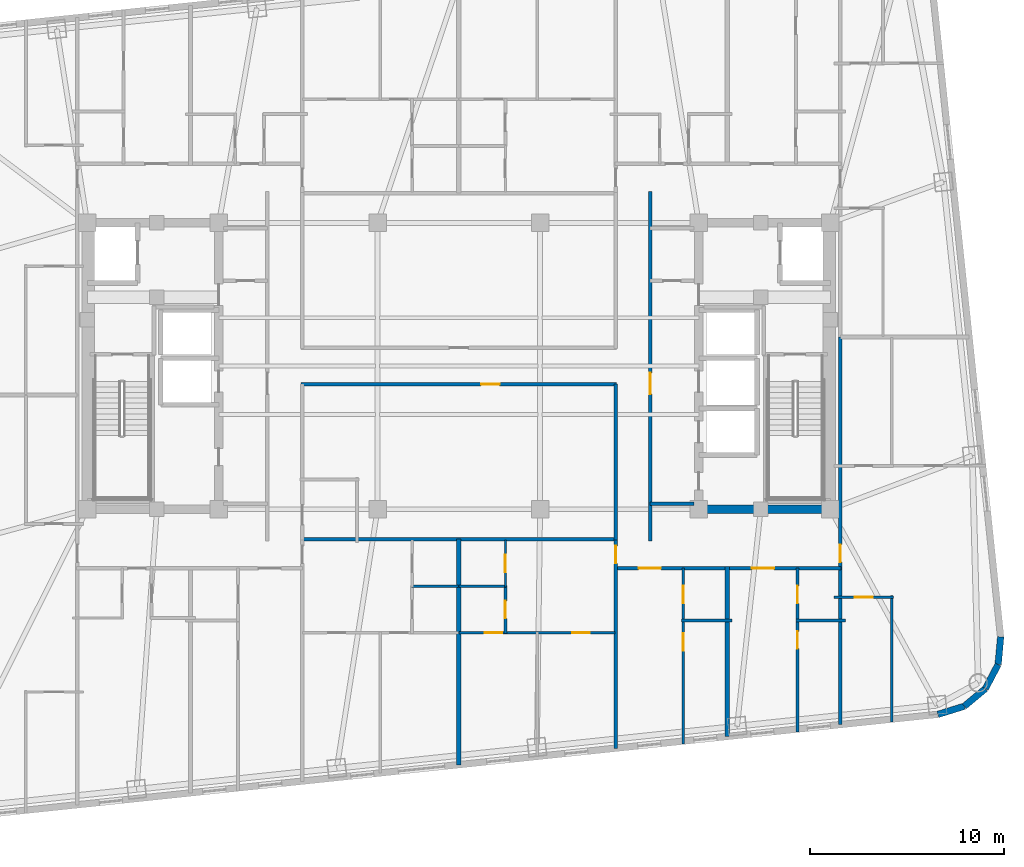
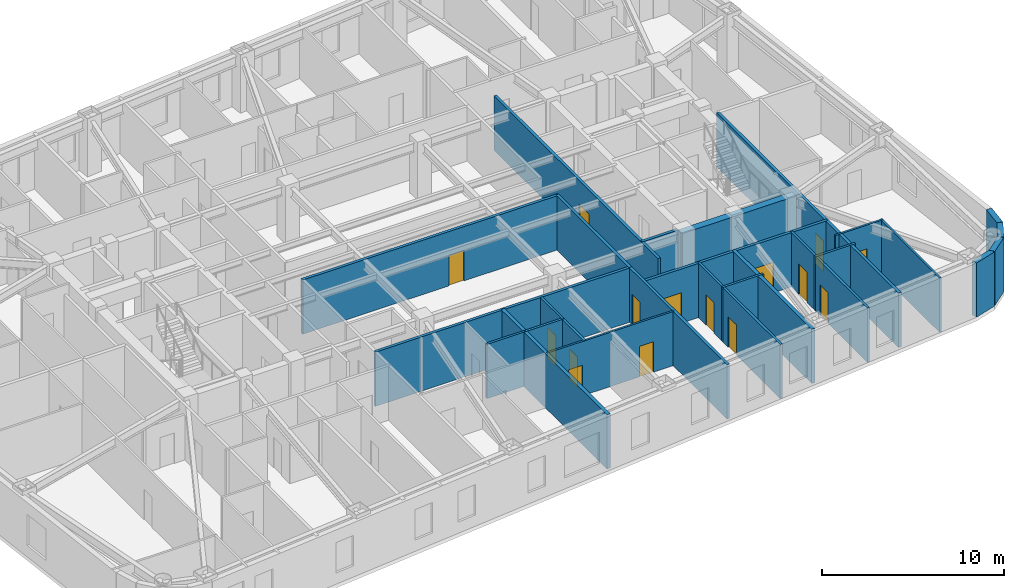
# One storey, part 5 of 11: 28 walls, 15 doors, 15 openings.
"""IFC4 building model written with IfcOpenShell, lengths in metres."""

from ifc_helpers import new_model, si_unit, direction, frame, frame_2d, origin, place, context, subcontext, project, spatial, rectangle, extrude, material, layer, layer_set, type_object, element, fill, save


model = new_model("IFC4")

# Units and contexts
model_context = context("Model", 3, precision=1e-05, world=origin(), true_north=direction((0.0, 1.0)))
body_context = subcontext(model_context, "Body", "Model", "MODEL_VIEW")
ifc_project = project(units=[si_unit("LENGTHUNIT", "METRE"), si_unit("AREAUNIT", "SQUARE_METRE"), si_unit("VOLUMEUNIT", "CUBIC_METRE"), si_unit("PLANEANGLEUNIT", "RADIAN"), si_unit("MASSUNIT", "GRAM", prefix="KILO")], contexts=[model_context])

# Site, building, storey
site_placement = place(None, origin())
site = spatial("IfcSite", under=ifc_project, at=site_placement, CompositionType="ELEMENT")
building_placement = place(site_placement, origin())
building = spatial("IfcBuilding", under=site, at=building_placement, Name="Voryun Gate Residences", CompositionType="ELEMENT")
storey_placement = place(building_placement, frame((0.0, 0.0, 163.800048828125)))
storey = spatial("IfcBuildingStorey", under=building, at=storey_placement, Name="L40", CompositionType="ELEMENT", Elevation=163.800048828125)

# Walls
ifc_material_1 = material(Name="Concrete C50/60", Category="concrete")
ifc_layer_1 = layer(ifc_material_1, 0.449951171875, Name="CW_CORE_450")
ifc_layer_set_1 = layer_set([ifc_layer_1], Name="Concrete C50/60")
wall_type_1 = type_object("IfcWallType", Name="CW_CORE_450", PredefinedType="SHEAR", material=ifc_layer_set_1)
wall_1_placement = place(storey_placement, frame((12.175048828125, -7.39990234375, 0.0), z_axis=(0.0, 0.0, 1.0), x_axis=(1.0, 0.0, 0.0)))
element("IfcWall", 1, at=wall_1_placement, inside=storey, type_object=wall_type_1, Name="L40 Core shear wall CW-L40-ES", PredefinedType="SHEAR", context=body_context, shape_type="SweptSolid", body=[
    extrude(rectangle(XDim=7.25, YDim=0.449951171875, at=frame_2d((3.625, 0.0))), origin(), (0.0, 0.0, 1.0), 3.64990234375),
])
ifc_material_2 = material(Name="Gypsum acoustic fireboard")
ifc_layer_2 = layer(ifc_material_2, 0.179931640625, Name="W_CORR_RATED_180")
ifc_layer_set_2 = layer_set([ifc_layer_2], Name="Gypsum acoustic fireboard")
wall_type_2 = type_object("IfcWallType", Name="W_CORR_RATED_180", PredefinedType="PARTITIONING", material=ifc_layer_set_2)
wall_2_placement = place(storey_placement, frame((9.8798828125, -7.1201171875, 0.0), z_axis=(0.0, 0.0, 1.0), x_axis=(1.0, 0.0, 0.0)))
element("IfcWall", 2, at=wall_2_placement, inside=storey, type_object=wall_type_2, Name="Partition wall WP-L40-PLBS-E", PredefinedType="PARTITIONING", context=body_context, shape_type="SweptSolid", body=[
    extrude(rectangle(XDim=2.27001953125, YDim=0.179931640625, at=frame_2d((1.135009765625, 0.0))), origin(), (0.0, 0.0, 1.0), 3.64990234375),
])

# Wall, opening, door
wall_3_placement = place(storey_placement, frame((9.89990234375, -9.030029296875, 0.0), z_axis=(0.0, 0.0, 1.0), x_axis=(0.0, 1.0, 0.0)))
wall_3 = element("IfcWall", 3, at=wall_3_placement, inside=storey, type_object=wall_type_2, Name="Partition wall WP-L40-PLBE-FULL", PredefinedType="PARTITIONING", context=body_context, shape_type="SweptSolid", body=[
    extrude(rectangle(XDim=18.06005859375, YDim=0.179931640625, at=frame_2d((9.030029296875, 0.0))), origin(), (0.0, 0.0, 1.0), 3.64990234375),
])
opening_1_placement = place(wall_3_placement, frame((7.576904296875, 0.0, 0.0)))
opening_1 = element("IfcOpeningElement", 4, at=opening_1_placement, cuts=wall_3, Name="Opening D-FD60-2", PredefinedType="OPENING", context=body_context, shape_type="SweptSolid", body=[
    extrude(rectangle(XDim=1.10009765625, YDim=2.050048828125, at=frame_2d((0.550048828125, 1.02490234375))), frame((0.0, 0.099853515625, 0.0), z_axis=(0.0, -1.0, 0.0), x_axis=(1.0, 0.0, 0.0)), (0.0, 0.0, 1.0), 0.199951171875),
])
ifc_material_3 = material(Name="Painted steel fire door", Category="steel")
door_type_1 = type_object("IfcDoorType", Name="DR_FD60_FFLOB_1100", OperationType="NOTDEFINED", PredefinedType="DOOR", material=ifc_material_3)
door_1_placement = place(opening_1_placement, origin())
door_1 = element("IfcDoor", 5, at=door_1_placement, inside=storey, type_object=door_type_1, Name="Door DR-L40-PLBE-COR", OperationType="SINGLE_SWING_RIGHT", OverallHeight=2.050048828125, OverallWidth=1.10009765625, PredefinedType="DOOR", context=body_context, shape_type="SweptSolid", body=[
    extrude(rectangle(XDim=1.10009765625, YDim=2.050048828125, at=frame_2d((0.550048828125, 1.02490234375))), frame((0.0, 0.02490234375, 0.0), z_axis=(0.0, -1.0, 0.0), x_axis=(1.0, 0.0, 0.0)), (0.0, 0.0, 1.0), 0.050048828125),
])
fill(opening_1, door_1)

# Wall
wall_4_placement = place(storey_placement, frame((-8.14990234375, -8.93994140625, 0.0), z_axis=(0.0, 0.0, 1.0), x_axis=(1.0, 0.0, 0.0)))
element("IfcWall", 6, at=wall_4_placement, inside=storey, type_object=wall_type_2, Name="Partition wall WP-L40-Z2S", PredefinedType="PARTITIONING", context=body_context, shape_type="SweptSolid", body=[
    extrude(rectangle(XDim=16.2998046875, YDim=0.179931640625, at=frame_2d((8.14990234375, 0.0))), origin(), (0.0, 0.0, 1.0), 3.64990234375),
])

# Wall, opening, door
wall_5_placement = place(storey_placement, frame((-8.14990234375, -0.93994140625, 0.0), z_axis=(0.0, 0.0, 1.0), x_axis=(1.0, 0.0, 0.0)))
wall_5 = element("IfcWall", 7, at=wall_5_placement, inside=storey, type_object=wall_type_2, Name="Partition wall WP-L40-Z2HS", PredefinedType="PARTITIONING", context=body_context, shape_type="SweptSolid", body=[
    extrude(rectangle(XDim=16.2998046875, YDim=0.179931640625, at=frame_2d((8.14990234375, 0.0))), origin(), (0.0, 0.0, 1.0), 3.64990234375),
])
opening_2_placement = place(wall_5_placement, frame((9.304931640625, 0.0, 0.0)))
opening_2 = element("IfcOpeningElement", 8, at=opening_2_placement, cuts=wall_5, Name="Opening D-INT-1", PredefinedType="OPENING", context=body_context, shape_type="SweptSolid", body=[
    extrude(rectangle(XDim=0.949951171875, YDim=2.050048828125, at=frame_2d((0.47509765625, 1.02490234375))), frame((0.0, 0.099853515625, 0.0), z_axis=(0.0, -1.0, 0.0), x_axis=(1.0, 0.0, 0.0)), (0.0, 0.0, 1.0), 0.199951171875),
])
ifc_material_4 = material(Name="Architectural oak veneer")
door_type_2 = type_object("IfcDoorType", Name="DR_INT_ROOM_950", OperationType="NOTDEFINED", PredefinedType="DOOR", material=ifc_material_4)
door_2_placement = place(opening_2_placement, origin())
door_2 = element("IfcDoor", 9, at=door_2_placement, inside=storey, type_object=door_type_2, Name="Door DR-L40-Z2SH", OperationType="SINGLE_SWING_RIGHT", OverallHeight=2.050048828125, OverallWidth=0.949951171875, PredefinedType="DOOR", context=body_context, shape_type="SweptSolid", body=[
    extrude(rectangle(XDim=0.949951171875, YDim=2.050048828125, at=frame_2d((0.47509765625, 1.02490234375))), frame((0.0, 0.02490234375, 0.0), z_axis=(0.0, -1.0, 0.0), x_axis=(1.0, 0.0, 0.0)), (0.0, 0.0, 1.0), 0.050048828125),
])
fill(opening_2, door_2)

# Wall
wall_6_placement = place(storey_placement, frame((8.10009765625, -8.97998046875, 0.0), z_axis=(0.0, 0.0, 1.0), x_axis=(0.0, 1.0, 0.0)))
element("IfcWall", 10, at=wall_6_placement, inside=storey, type_object=wall_type_2, Name="Partition wall WP-L40-Z2ER2", PredefinedType="PARTITIONING", context=body_context, shape_type="SweptSolid", body=[
    extrude(rectangle(XDim=8.06005859375, YDim=0.179931640625, at=frame_2d((4.030029296875, 0.0))), origin(), (0.0, 0.0, 1.0), 3.64990234375),
])

# Wall, openings, doors
wall_7_placement = place(storey_placement, frame((8.080078125, -10.449951171875, 0.0), z_axis=(0.0, 0.0, 1.0), x_axis=(1.0, 0.0, 0.0)))
wall_7 = element("IfcWall", 11, at=wall_7_placement, inside=storey, type_object=wall_type_2, Name="Partition wall WP-L40-SCORR-E", PredefinedType="PARTITIONING", context=body_context, shape_type="SweptSolid", body=[
    extrude(rectangle(XDim=11.669921875, YDim=0.179931640625, at=frame_2d((5.8349609375, 0.0))), origin(), (0.0, 0.0, 1.0), 3.64990234375),
])
opening_3_placement = place(wall_7_placement, frame((1.212890625, 0.0, 0.0)))
opening_3 = element("IfcOpeningElement", 12, at=opening_3_placement, cuts=wall_7, Name="Opening D-UNIT-1", PredefinedType="OPENING", context=body_context, shape_type="SweptSolid", body=[
    extrude(rectangle(XDim=1.14990234375, YDim=2.050048828125, at=frame_2d((0.574951171875, 1.02490234375))), frame((0.0, 0.099853515625, 0.0), z_axis=(0.0, -1.0, 0.0), x_axis=(1.0, 0.0, 0.0)), (0.0, 0.0, 1.0), 0.199951171875),
])
opening_4_placement = place(wall_7_placement, frame((7.05712890625, 0.0, 0.0)))
opening_4 = element("IfcOpeningElement", 13, at=opening_4_placement, cuts=wall_7, Name="Opening D-UNIT-1", PredefinedType="OPENING", context=body_context, shape_type="SweptSolid", body=[
    extrude(rectangle(XDim=1.14990234375, YDim=2.050048828125, at=frame_2d((0.574951171875, 1.02490234375))), frame((0.0, 0.099853515625, 0.0), z_axis=(0.0, -1.0, 0.0), x_axis=(1.0, 0.0, 0.0)), (0.0, 0.0, 1.0), 0.199951171875),
])
ifc_material_5 = material(Name="Armoured timber-clad fire door", Category="wood")
door_type_3 = type_object("IfcDoorType", Name="DR_UNIT_ENTRY_1150", OperationType="NOTDEFINED", PredefinedType="DOOR", material=ifc_material_5)
door_3_placement = place(opening_3_placement, origin())
door_3 = element("IfcDoor", 14, at=door_3_placement, inside=storey, type_object=door_type_3, Name="Door DR-L40-SENT-4", OperationType="SINGLE_SWING_LEFT", OverallHeight=2.050048828125, OverallWidth=1.14990234375, PredefinedType="DOOR", context=body_context, shape_type="SweptSolid", body=[
    extrude(rectangle(XDim=1.14990234375, YDim=2.050048828125, at=frame_2d((0.574951171875, 1.02490234375))), frame((0.0, 0.02490234375, 0.0), z_axis=(0.0, -1.0, 0.0), x_axis=(1.0, 0.0, 0.0)), (0.0, 0.0, 1.0), 0.050048828125),
])
fill(opening_3, door_3)
door_4_placement = place(opening_4_placement, origin())
door_4 = element("IfcDoor", 15, at=door_4_placement, inside=storey, type_object=door_type_3, Name="Door DR-L40-SENT-5", OperationType="SINGLE_SWING_RIGHT", OverallHeight=2.050048828125, OverallWidth=1.14990234375, PredefinedType="DOOR", context=body_context, shape_type="SweptSolid", body=[
    extrude(rectangle(XDim=1.14990234375, YDim=2.050048828125, at=frame_2d((0.574951171875, 1.02490234375))), frame((0.0, 0.02490234375, 0.0), z_axis=(0.0, -1.0, 0.0), x_axis=(1.0, 0.0, 0.0)), (0.0, 0.0, 1.0), 0.050048828125),
])
fill(opening_4, door_4)

# Wall, opening, door
wall_8_placement = place(storey_placement, frame((8.10009765625, -19.75390625, 0.0), z_axis=(0.0, 0.0, 1.0), x_axis=(0.0, 1.0, 0.0)))
wall_8 = element("IfcWall", 16, at=wall_8_placement, inside=storey, type_object=wall_type_2, Name="Partition wall WP-L40-SZV-2", PredefinedType="PARTITIONING", context=body_context, shape_type="SweptSolid", body=[
    extrude(rectangle(XDim=10.81396484375, YDim=0.179931640625, at=frame_2d((5.406982421875, 0.0))), origin(), (0.0, 0.0, 1.0), 3.64990234375),
])
opening_5_placement = place(wall_8_placement, frame((9.563720703125, 0.0, 0.0)))
opening_5 = element("IfcOpeningElement", 17, at=opening_5_placement, cuts=wall_8, Name="Opening D-INT-2", PredefinedType="OPENING", context=body_context, shape_type="SweptSolid", body=[
    extrude(rectangle(XDim=0.89990234375, YDim=2.050048828125, at=frame_2d((0.449951171875, 1.02490234375))), frame((0.0, 0.099853515625, 0.0), z_axis=(0.0, -1.0, 0.0), x_axis=(1.0, 0.0, 0.0)), (0.0, 0.0, 1.0), 0.199951171875),
])
ifc_material_6 = material(Name="Architectural oak veneer")
door_type_4 = type_object("IfcDoorType", Name="DR_INT_BATH_900", OperationType="NOTDEFINED", PredefinedType="DOOR", material=ifc_material_6)
door_5_placement = place(opening_5_placement, origin())
door_5 = element("IfcDoor", 18, at=door_5_placement, inside=storey, type_object=door_type_4, Name="Door DR-L40-SZENT-2", OperationType="SINGLE_SWING_RIGHT", OverallHeight=2.050048828125, OverallWidth=0.89990234375, PredefinedType="DOOR", context=body_context, shape_type="SweptSolid", body=[
    extrude(rectangle(XDim=0.89990234375, YDim=2.050048828125, at=frame_2d((0.449951171875, 1.02490234375))), frame((0.0, 0.02490234375, 0.0), z_axis=(0.0, -1.0, 0.0), x_axis=(1.0, 0.0, 0.0)), (0.0, 0.0, 1.0), 0.050048828125),
])
fill(opening_5, door_5)

wall_9_placement = place(storey_placement, frame((19.719970703125, -18.532470703125, 0.0), z_axis=(0.0, 0.0, 1.0), x_axis=(0.0, 1.0, 0.0)))
wall_9 = element("IfcWall", 19, at=wall_9_placement, inside=storey, type_object=wall_type_2, Name="Partition wall WP-L40-ECOR1", PredefinedType="PARTITIONING", context=body_context, shape_type="SweptSolid", body=[
    extrude(rectangle(XDim=20.032470703125, YDim=0.179931640625, at=frame_2d((10.01611328125, 0.0))), origin(), (0.0, 0.0, 1.0), 3.64990234375),
])
opening_6_placement = place(wall_9_placement, frame((8.40234375, 0.0, 0.0)))
opening_6 = element("IfcOpeningElement", 20, at=opening_6_placement, cuts=wall_9, Name="Opening D-INT-2", PredefinedType="OPENING", context=body_context, shape_type="SweptSolid", body=[
    extrude(rectangle(XDim=0.89990234375, YDim=2.050048828125, at=frame_2d((0.449951171875, 1.02490234375))), frame((0.0, 0.099853515625, 0.0), z_axis=(0.0, -1.0, 0.0), x_axis=(1.0, 0.0, 0.0)), (0.0, 0.0, 1.0), 0.199951171875),
])
door_6_placement = place(opening_6_placement, origin())
door_6 = element("IfcDoor", 21, at=door_6_placement, inside=storey, type_object=door_type_4, Name="Door DR-L40-EE1", OperationType="SINGLE_SWING_LEFT", OverallHeight=2.050048828125, OverallWidth=0.89990234375, PredefinedType="DOOR", context=body_context, shape_type="SweptSolid", body=[
    extrude(rectangle(XDim=0.89990234375, YDim=2.050048828125, at=frame_2d((0.449951171875, 1.02490234375))), frame((0.0, 0.02490234375, 0.0), z_axis=(0.0, -1.0, 0.0), x_axis=(1.0, 0.0, 0.0)), (0.0, 0.0, 1.0), 0.050048828125),
])
fill(opening_6, door_6)

# Walls
ifc_material_7 = material(Name="Charcoal terracotta masonry", Category="masonry")
ifc_layer_3 = layer(ifc_material_7, 0.340087890625, Name="W_EXT_TERRACOTTA_340")
ifc_layer_set_3 = layer_set([ifc_layer_3], Name="Charcoal terracotta masonry")
wall_type_3 = type_object("IfcWallType", Name="W_EXT_TERRACOTTA_340", PredefinedType="ELEMENTEDWALL", material=ifc_layer_set_3)
wall_10_placement = place(storey_placement, frame((28.001220703125, -13.9951171875, 0.0), z_axis=(0.0, 0.0, 1.0), x_axis=(-0.091534682358, -0.995801888894, 0.0)))
element("IfcWall", 22, at=wall_10_placement, inside=storey, type_object=wall_type_3, Name="Exterior wall WEXT-L40-17", PredefinedType="ELEMENTEDWALL", context=body_context, shape_type="SweptSolid", body=[
    extrude(rectangle(XDim=1.432373046875, YDim=0.340087890625, at=frame_2d((0.71630859375, 0.0))), origin(), (0.0, 0.0, 1.0), 3.64990234375),
])
for number, where, z_axis, x_axis, name in (
    (23, (27.8701171875, -15.42138671875, 0.0), (0.0, 0.0, 1.0), (-0.465682431293, -0.884951904447, 0.0), "Exterior wall WEXT-L40-18"),
    (24, (27.211181640625, -16.673583984375, 0.0), (0.0, 0.0, 1.0), (-0.768758372808, -0.639539337522, 0.0), "Exterior wall WEXT-L40-19"),
):
    element("IfcWall", number, at=place(storey_placement, frame(where, z_axis=z_axis, x_axis=x_axis)), inside=storey, type_object=wall_type_3, Name=name, PredefinedType="ELEMENTEDWALL", context=body_context, shape_type="SweptSolid", body=[
        extrude(rectangle(XDim=1.4150390625, YDim=0.340087890625, at=frame_2d((0.70751953125, 0.0))), origin(), (0.0, 0.0, 1.0), 3.64990234375),
    ])
wall_11_placement = place(storey_placement, frame((26.123291015625, -17.57861328125, 0.0), z_axis=(0.0, 0.0, 1.0), x_axis=(-0.955042500381, -0.296468923271, 0.0)))
element("IfcWall", 25, at=wall_11_placement, inside=storey, type_object=wall_type_3, Name="Exterior wall WEXT-L40-20", PredefinedType="ELEMENTEDWALL", context=body_context, shape_type="SweptSolid", body=[
    extrude(rectangle(XDim=1.43212890625, YDim=0.340087890625, at=frame_2d((0.716064453125, 0.0))), origin(), (0.0, 0.0, 1.0), 3.64990234375),
])
ifc_material_8 = material(Name="Concrete C40/50", Category="concrete")
ifc_layer_4 = layer(ifc_material_8, 0.219970703125, Name="W_PARTY_ACOUSTIC_220")
ifc_layer_set_4 = layer_set([ifc_layer_4], Name="Concrete C40/50")
wall_type_4 = type_object("IfcWallType", Name="W_PARTY_ACOUSTIC_220", PredefinedType="PARTITIONING", material=ifc_layer_set_4)
wall_12_placement = place(storey_placement, frame((13.864990234375, -19.147705078125, 0.0), z_axis=(0.0, 0.0, 1.0), x_axis=(0.0, 1.0, 0.0)))
element("IfcWall", 26, at=wall_12_placement, inside=storey, type_object=wall_type_4, Name="Partition wall WP-L40-SPTY-4", PredefinedType="PARTITIONING", context=body_context, shape_type="SweptSolid", body=[
    extrude(rectangle(XDim=8.777587890625, YDim=0.219970703125, at=frame_2d((4.388671875, 0.0))), origin(), (0.0, 0.0, 1.0), 3.64990234375),
])
wall_13_placement = place(storey_placement, frame((0.0, -20.60498046875, 0.0), z_axis=(0.0, 0.0, 1.0), x_axis=(0.0, 1.0, 0.0)))
element("IfcWall", 27, at=wall_13_placement, inside=storey, type_object=wall_type_4, Name="Partition wall WP-L40-SZMID", PredefinedType="PARTITIONING", context=body_context, shape_type="SweptSolid", body=[
    extrude(rectangle(XDim=11.6650390625, YDim=0.219970703125, at=frame_2d((5.83251953125, 0.0))), origin(), (0.0, 0.0, 1.0), 3.64990234375),
])

# Wall, openings, doors
ifc_material_9 = material(Name="Gypsum acoustic partition")
ifc_layer_5 = layer(ifc_material_9, 0.125, Name="W_UNIT_PART_125")
ifc_layer_set_5 = layer_set([ifc_layer_5], Name="Gypsum acoustic partition")
wall_type_5 = type_object("IfcWallType", Name="W_UNIT_PART_125", PredefinedType="PARTITIONING", material=ifc_layer_set_5)
wall_14_placement = place(storey_placement, frame((0.02001953125, -13.780029296875, 0.0), z_axis=(0.0, 0.0, 1.0), x_axis=(1.0, 0.0, 0.0)))
wall_14 = element("IfcWall", 28, at=wall_14_placement, inside=storey, type_object=wall_type_5, Name="Partition wall WP-L40-SC2-HZ", PredefinedType="PARTITIONING", context=body_context, shape_type="SweptSolid", body=[
    extrude(rectangle(XDim=8.06005859375, YDim=0.125, at=frame_2d((4.030029296875, 0.0))), origin(), (0.0, 0.0, 1.0), 3.64990234375),
])
opening_7_placement = place(wall_14_placement, frame((1.3232421875, 0.0, 0.0)))
opening_7 = element("IfcOpeningElement", 29, at=opening_7_placement, cuts=wall_14, Name="Opening D-INT-2", PredefinedType="OPENING", context=body_context, shape_type="SweptSolid", body=[
    extrude(rectangle(XDim=0.89990234375, YDim=2.050048828125, at=frame_2d((0.449951171875, 1.02490234375))), frame((0.0, 0.072509765625, 0.0), z_axis=(0.0, -1.0, 0.0), x_axis=(1.0, 0.0, 0.0)), (0.0, 0.0, 1.0), 0.14501953125),
])
opening_8_placement = place(wall_14_placement, frame((5.8369140625, 0.0, 0.0)))
opening_8 = element("IfcOpeningElement", 30, at=opening_8_placement, cuts=wall_14, Name="Opening D-INT-2", PredefinedType="OPENING", context=body_context, shape_type="SweptSolid", body=[
    extrude(rectangle(XDim=0.89990234375, YDim=2.050048828125, at=frame_2d((0.449951171875, 1.02490234375))), frame((0.0, 0.072509765625, 0.0), z_axis=(0.0, -1.0, 0.0), x_axis=(1.0, 0.0, 0.0)), (0.0, 0.0, 1.0), 0.14501953125),
])
door_7_placement = place(opening_7_placement, origin())
door_7 = element("IfcDoor", 31, at=door_7_placement, inside=storey, type_object=door_type_4, Name="Door DR-L40-SC2-DMB", OperationType="SINGLE_SWING_LEFT", OverallHeight=2.050048828125, OverallWidth=0.89990234375, PredefinedType="DOOR", context=body_context, shape_type="SweptSolid", body=[
    extrude(rectangle(XDim=0.89990234375, YDim=2.050048828125, at=frame_2d((0.449951171875, 1.02490234375))), frame((0.0, 0.02490234375, 0.0), z_axis=(0.0, -1.0, 0.0), x_axis=(1.0, 0.0, 0.0)), (0.0, 0.0, 1.0), 0.050048828125),
])
fill(opening_7, door_7)
door_8_placement = place(opening_8_placement, origin())
door_8 = element("IfcDoor", 32, at=door_8_placement, inside=storey, type_object=door_type_4, Name="Door DR-L40-SC2-DBD2", OperationType="SINGLE_SWING_RIGHT", OverallHeight=2.050048828125, OverallWidth=0.89990234375, PredefinedType="DOOR", context=body_context, shape_type="SweptSolid", body=[
    extrude(rectangle(XDim=0.89990234375, YDim=2.050048828125, at=frame_2d((0.449951171875, 1.02490234375))), frame((0.0, 0.02490234375, 0.0), z_axis=(0.0, -1.0, 0.0), x_axis=(1.0, 0.0, 0.0)), (0.0, 0.0, 1.0), 0.050048828125),
])
fill(opening_8, door_8)

# Wall, opening, door
wall_15_placement = place(storey_placement, frame((2.409912109375, -11.409912109375, 0.0), z_axis=(0.0, 0.0, 1.0), x_axis=(0.0, 1.0, 0.0)))
wall_15 = element("IfcWall", 33, at=wall_15_placement, inside=storey, type_object=wall_type_5, Name="Partition wall WP-L40-SC2-VK1", PredefinedType="PARTITIONING", context=body_context, shape_type="SweptSolid", body=[
    extrude(rectangle(XDim=2.409912109375, YDim=0.125, at=frame_2d((1.205078125, 0.0))), origin(), (0.0, 0.0, 1.0), 3.64990234375),
])
opening_9_placement = place(wall_15_placement, frame((0.7548828125, 0.0, 0.0)))
opening_9 = element("IfcOpeningElement", 34, at=opening_9_placement, cuts=wall_15, Name="Opening D-INT-2", PredefinedType="OPENING", context=body_context, shape_type="SweptSolid", body=[
    extrude(rectangle(XDim=0.89990234375, YDim=2.050048828125, at=frame_2d((0.449951171875, 1.02490234375))), frame((0.0, 0.072509765625, 0.0), z_axis=(0.0, -1.0, 0.0), x_axis=(1.0, 0.0, 0.0)), (0.0, 0.0, 1.0), 0.14501953125),
])
door_9_placement = place(opening_9_placement, origin())
door_9 = element("IfcDoor", 35, at=door_9_placement, inside=storey, type_object=door_type_4, Name="Door DR-L40-SC2-DK", OperationType="SINGLE_SWING_LEFT", OverallHeight=2.050048828125, OverallWidth=0.89990234375, PredefinedType="DOOR", context=body_context, shape_type="SweptSolid", body=[
    extrude(rectangle(XDim=0.89990234375, YDim=2.050048828125, at=frame_2d((0.449951171875, 1.02490234375))), frame((0.0, 0.02490234375, 0.0), z_axis=(0.0, -1.0, 0.0), x_axis=(1.0, 0.0, 0.0)), (0.0, 0.0, 1.0), 0.050048828125),
])
fill(opening_9, door_9)

wall_16_placement = place(storey_placement, frame((19.39990234375, -11.93896484375, 0.0), z_axis=(0.0, 0.0, 1.0), x_axis=(1.0, 0.0, 0.0)))
wall_16 = element("IfcWall", 36, at=wall_16_placement, inside=storey, type_object=wall_type_5, Name="Partition wall WP-L40-E1-IKA", PredefinedType="PARTITIONING", context=body_context, shape_type="SweptSolid", body=[
    extrude(rectangle(XDim=3.050048828125, YDim=0.125, at=frame_2d((1.52490234375, 0.0))), origin(), (0.0, 0.0, 1.0), 3.64990234375),
])
opening_10_placement = place(wall_16_placement, frame((1.050048828125, 0.0, 0.0)))
opening_10 = element("IfcOpeningElement", 37, at=opening_10_placement, cuts=wall_16, Name="Opening D-INT-1", PredefinedType="OPENING", context=body_context, shape_type="SweptSolid", body=[
    extrude(rectangle(XDim=0.949951171875, YDim=2.050048828125, at=frame_2d((0.47509765625, 1.02490234375))), frame((0.0, 0.072509765625, 0.0), z_axis=(0.0, -1.0, 0.0), x_axis=(1.0, 0.0, 0.0)), (0.0, 0.0, 1.0), 0.14501953125),
])
door_10_placement = place(opening_10_placement, origin())
door_10 = element("IfcDoor", 38, at=door_10_placement, inside=storey, type_object=door_type_2, Name="Door DR-L40-E1-DK", OperationType="SINGLE_SWING_LEFT", OverallHeight=2.050048828125, OverallWidth=0.949951171875, PredefinedType="DOOR", context=body_context, shape_type="SweptSolid", body=[
    extrude(rectangle(XDim=0.949951171875, YDim=2.050048828125, at=frame_2d((0.47509765625, 1.02490234375))), frame((0.0, 0.02490234375, 0.0), z_axis=(0.0, -1.0, 0.0), x_axis=(1.0, 0.0, 0.0)), (0.0, 0.0, 1.0), 0.050048828125),
])
fill(opening_10, door_10)

# Walls
wall_17_placement = place(storey_placement, frame((22.3701171875, -18.40478515625, 0.0), z_axis=(0.0, 0.0, 1.0), x_axis=(0.0, 1.0, 0.0)))
element("IfcWall", 39, at=wall_17_placement, inside=storey, type_object=wall_type_5, Name="Partition wall WP-L40-E1-VTA", PredefinedType="PARTITIONING", context=body_context, shape_type="SweptSolid", body=[
    extrude(rectangle(XDim=6.5458984375, YDim=0.125, at=frame_2d((3.27294921875, 0.0))), origin(), (0.0, 0.0, 1.0), 3.64990234375),
])
ifc_material_10 = material(Name="Gypsum moisture-resistant partition")
ifc_layer_6 = layer(ifc_material_10, 0.14990234375, Name="W_WET_PLUMB_150")
ifc_layer_set_6 = layer_set([ifc_layer_6], Name="Gypsum moisture-resistant partition")
wall_type_6 = type_object("IfcWallType", Name="W_WET_PLUMB_150", PredefinedType="PLUMBINGWALL", material=ifc_layer_set_6)
wall_18_placement = place(storey_placement, frame((11.51611328125, -13.14990234375, 0.0), z_axis=(0.0, 0.0, 1.0), x_axis=(1.0, 0.0, 0.0)))
element("IfcWall", 40, at=wall_18_placement, inside=storey, type_object=wall_type_6, Name="Partition wall WP-L40-S4-SKB", PredefinedType="PLUMBINGWALL", context=body_context, shape_type="SweptSolid", body=[
    extrude(rectangle(XDim=2.60888671875, YDim=0.14990234375, at=frame_2d((1.304443359375, 0.0))), origin(), (0.0, 0.0, 1.0), 3.64990234375),
])

# Wall, opening, door
wall_19_placement = place(storey_placement, frame((11.595947265625, -19.537109375, 0.0), z_axis=(0.0, 0.0, 1.0), x_axis=(0.0, 1.0, 0.0)))
wall_19 = element("IfcWall", 41, at=wall_19_placement, inside=storey, type_object=wall_type_6, Name="Partition wall WP-L40-S4-SVT1", PredefinedType="PLUMBINGWALL", context=body_context, shape_type="SweptSolid", body=[
    extrude(rectangle(XDim=6.427001953125, YDim=0.14990234375, at=frame_2d((3.21337890625, 0.0))), origin(), (0.0, 0.0, 1.0), 3.64990234375),
])
opening_11_placement = place(wall_19_placement, frame((4.8203125, 0.0, 0.0)))
opening_11 = element("IfcOpeningElement", 42, at=opening_11_placement, cuts=wall_19, Name="Opening D-INT-2", PredefinedType="OPENING", context=body_context, shape_type="SweptSolid", body=[
    extrude(rectangle(XDim=0.89990234375, YDim=2.050048828125, at=frame_2d((0.449951171875, 1.02490234375))), frame((0.0, 0.0849609375, 0.0), z_axis=(0.0, -1.0, 0.0), x_axis=(1.0, 0.0, 0.0)), (0.0, 0.0, 1.0), 0.169921875),
])
door_11_placement = place(opening_11_placement, origin())
door_11 = element("IfcDoor", 43, at=door_11_placement, inside=storey, type_object=door_type_4, Name="Door DR-L40-S4-DK", OperationType="SINGLE_SWING_LEFT", OverallHeight=2.050048828125, OverallWidth=0.89990234375, PredefinedType="DOOR", context=body_context, shape_type="SweptSolid", body=[
    extrude(rectangle(XDim=0.89990234375, YDim=2.050048828125, at=frame_2d((0.449951171875, 1.02490234375))), frame((0.0, 0.02490234375, 0.0), z_axis=(0.0, -1.0, 0.0), x_axis=(1.0, 0.0, 0.0)), (0.0, 0.0, 1.0), 0.050048828125),
])
fill(opening_11, door_11)

wall_20_placement = place(storey_placement, frame((11.595947265625, -13.18994140625, 0.0), z_axis=(0.0, 0.0, 1.0), x_axis=(0.0, 1.0, 0.0)))
wall_20 = element("IfcWall", 44, at=wall_20_placement, inside=storey, type_object=wall_type_6, Name="Partition wall WP-L40-S4-SVT2", PredefinedType="PLUMBINGWALL", context=body_context, shape_type="SweptSolid", body=[
    extrude(rectangle(XDim=2.760009765625, YDim=0.14990234375, at=frame_2d((1.3798828125, 0.0))), origin(), (0.0, 0.0, 1.0), 3.64990234375),
])
opening_12_placement = place(wall_20_placement, frame((0.929931640625, 0.0, 0.0)))
opening_12 = element("IfcOpeningElement", 45, at=opening_12_placement, cuts=wall_20, Name="Opening D-INT-2", PredefinedType="OPENING", context=body_context, shape_type="SweptSolid", body=[
    extrude(rectangle(XDim=0.89990234375, YDim=2.050048828125, at=frame_2d((0.449951171875, 1.02490234375))), frame((0.0, 0.0849609375, 0.0), z_axis=(0.0, -1.0, 0.0), x_axis=(1.0, 0.0, 0.0)), (0.0, 0.0, 1.0), 0.169921875),
])
door_12_placement = place(opening_12_placement, origin())
door_12 = element("IfcDoor", 46, at=door_12_placement, inside=storey, type_object=door_type_4, Name="Door DR-L40-S4-DB", OperationType="SINGLE_SWING_RIGHT", OverallHeight=2.050048828125, OverallWidth=0.89990234375, PredefinedType="DOOR", context=body_context, shape_type="SweptSolid", body=[
    extrude(rectangle(XDim=0.89990234375, YDim=2.050048828125, at=frame_2d((0.449951171875, 1.02490234375))), frame((0.0, 0.02490234375, 0.0), z_axis=(0.0, -1.0, 0.0), x_axis=(1.0, 0.0, 0.0)), (0.0, 0.0, 1.0), 0.050048828125),
])
fill(opening_12, door_12)

# Wall
wall_21_placement = place(storey_placement, frame((17.419921875, -13.14990234375, 0.0), z_axis=(0.0, 0.0, 1.0), x_axis=(1.0, 0.0, 0.0)))
element("IfcWall", 47, at=wall_21_placement, inside=storey, type_object=wall_type_6, Name="Partition wall WP-L40-S5-SKB", PredefinedType="PLUMBINGWALL", context=body_context, shape_type="SweptSolid", body=[
    extrude(rectangle(XDim=2.550048828125, YDim=0.14990234375, at=frame_2d((1.27490234375, 0.0))), origin(), (0.0, 0.0, 1.0), 3.64990234375),
])

# Wall, opening, door
wall_22_placement = place(storey_placement, frame((17.5, -18.91650390625, 0.0), z_axis=(0.0, 0.0, 1.0), x_axis=(0.0, 1.0, 0.0)))
wall_22 = element("IfcWall", 48, at=wall_22_placement, inside=storey, type_object=wall_type_6, Name="Partition wall WP-L40-S5-SVT1", PredefinedType="PLUMBINGWALL", context=body_context, shape_type="SweptSolid", body=[
    extrude(rectangle(XDim=5.806396484375, YDim=0.14990234375, at=frame_2d((2.9033203125, 0.0))), origin(), (0.0, 0.0, 1.0), 3.64990234375),
])
opening_13_placement = place(wall_22_placement, frame((4.311279296875, 0.0, 0.0)))
opening_13 = element("IfcOpeningElement", 49, at=opening_13_placement, cuts=wall_22, Name="Opening D-INT-2", PredefinedType="OPENING", context=body_context, shape_type="SweptSolid", body=[
    extrude(rectangle(XDim=0.89990234375, YDim=2.050048828125, at=frame_2d((0.449951171875, 1.02490234375))), frame((0.0, 0.0849609375, 0.0), z_axis=(0.0, -1.0, 0.0), x_axis=(1.0, 0.0, 0.0)), (0.0, 0.0, 1.0), 0.169921875),
])
door_13_placement = place(opening_13_placement, origin())
door_13 = element("IfcDoor", 50, at=door_13_placement, inside=storey, type_object=door_type_4, Name="Door DR-L40-S5-DK", OperationType="SINGLE_SWING_LEFT", OverallHeight=2.050048828125, OverallWidth=0.89990234375, PredefinedType="DOOR", context=body_context, shape_type="SweptSolid", body=[
    extrude(rectangle(XDim=0.89990234375, YDim=2.050048828125, at=frame_2d((0.449951171875, 1.02490234375))), frame((0.0, 0.02490234375, 0.0), z_axis=(0.0, -1.0, 0.0), x_axis=(1.0, 0.0, 0.0)), (0.0, 0.0, 1.0), 0.050048828125),
])
fill(opening_13, door_13)

wall_23_placement = place(storey_placement, frame((17.5, -13.18994140625, 0.0), z_axis=(0.0, 0.0, 1.0), x_axis=(0.0, 1.0, 0.0)))
wall_23 = element("IfcWall", 51, at=wall_23_placement, inside=storey, type_object=wall_type_6, Name="Partition wall WP-L40-S5-SVT2", PredefinedType="PLUMBINGWALL", context=body_context, shape_type="SweptSolid", body=[
    extrude(rectangle(XDim=2.760009765625, YDim=0.14990234375, at=frame_2d((1.3798828125, 0.0))), origin(), (0.0, 0.0, 1.0), 3.64990234375),
])
opening_14_placement = place(wall_23_placement, frame((0.929931640625, 0.0, 0.0)))
opening_14 = element("IfcOpeningElement", 52, at=opening_14_placement, cuts=wall_23, Name="Opening D-INT-2", PredefinedType="OPENING", context=body_context, shape_type="SweptSolid", body=[
    extrude(rectangle(XDim=0.89990234375, YDim=2.050048828125, at=frame_2d((0.449951171875, 1.02490234375))), frame((0.0, 0.0849609375, 0.0), z_axis=(0.0, -1.0, 0.0), x_axis=(1.0, 0.0, 0.0)), (0.0, 0.0, 1.0), 0.169921875),
])
door_14_placement = place(opening_14_placement, origin())
door_14 = element("IfcDoor", 53, at=door_14_placement, inside=storey, type_object=door_type_4, Name="Door DR-L40-S5-DB", OperationType="SINGLE_SWING_RIGHT", OverallHeight=2.050048828125, OverallWidth=0.89990234375, PredefinedType="DOOR", context=body_context, shape_type="SweptSolid", body=[
    extrude(rectangle(XDim=0.89990234375, YDim=2.050048828125, at=frame_2d((0.449951171875, 1.02490234375))), frame((0.0, 0.02490234375, 0.0), z_axis=(0.0, -1.0, 0.0), x_axis=(1.0, 0.0, 0.0)), (0.0, 0.0, 1.0), 0.050048828125),
])
fill(opening_14, door_14)

# Wall
wall_24_placement = place(storey_placement, frame((-2.449951171875, -11.3798828125, 0.0), z_axis=(0.0, 0.0, 1.0), x_axis=(1.0, 0.0, 0.0)))
element("IfcWall", 54, at=wall_24_placement, inside=storey, type_object=wall_type_6, Name="Partition wall WP-L40-SC1-HKB", PredefinedType="PLUMBINGWALL", context=body_context, shape_type="SweptSolid", body=[
    extrude(rectangle(XDim=2.429931640625, YDim=0.14990234375, at=frame_2d((1.21484375, 0.0))), origin(), (0.0, 0.0, 1.0), 3.64990234375),
])

# Wall, opening, door
wall_25_placement = place(storey_placement, frame((2.409912109375, -13.820068359375, 0.0), z_axis=(0.0, 0.0, 1.0), x_axis=(0.0, 1.0, 0.0)))
wall_25 = element("IfcWall", 55, at=wall_25_placement, inside=storey, type_object=wall_type_6, Name="Partition wall WP-L40-SC2-VK2", PredefinedType="PLUMBINGWALL", context=body_context, shape_type="SweptSolid", body=[
    extrude(rectangle(XDim=2.469970703125, YDim=0.14990234375, at=frame_2d((1.23486328125, 0.0))), origin(), (0.0, 0.0, 1.0), 3.64990234375),
])
opening_15_placement = place(wall_25_placement, frame((0.784912109375, 0.0, 0.0)))
opening_15 = element("IfcOpeningElement", 56, at=opening_15_placement, cuts=wall_25, Name="Opening D-INT-2", PredefinedType="OPENING", context=body_context, shape_type="SweptSolid", body=[
    extrude(rectangle(XDim=0.89990234375, YDim=2.050048828125, at=frame_2d((0.449951171875, 1.02490234375))), frame((0.0, 0.0849609375, 0.0), z_axis=(0.0, -1.0, 0.0), x_axis=(1.0, 0.0, 0.0)), (0.0, 0.0, 1.0), 0.169921875),
])
door_15_placement = place(opening_15_placement, origin())
door_15 = element("IfcDoor", 57, at=door_15_placement, inside=storey, type_object=door_type_4, Name="Door DR-L40-SC2-DB", OperationType="SINGLE_SWING_RIGHT", OverallHeight=2.050048828125, OverallWidth=0.89990234375, PredefinedType="DOOR", context=body_context, shape_type="SweptSolid", body=[
    extrude(rectangle(XDim=0.89990234375, YDim=2.050048828125, at=frame_2d((0.449951171875, 1.02490234375))), frame((0.0, 0.02490234375, 0.0), z_axis=(0.0, -1.0, 0.0), x_axis=(1.0, 0.0, 0.0)), (0.0, 0.0, 1.0), 0.050048828125),
])
fill(opening_15, door_15)

# Wall
wall_26_placement = place(storey_placement, frame((0.02001953125, -11.3798828125, 0.0), z_axis=(0.0, 0.0, 1.0), x_axis=(1.0, 0.0, 0.0)))
element("IfcWall", 58, at=wall_26_placement, inside=storey, type_object=wall_type_6, Name="Partition wall WP-L40-SC2-HKB", PredefinedType="PLUMBINGWALL", context=body_context, shape_type="SweptSolid", body=[
    extrude(rectangle(XDim=2.429931640625, YDim=0.14990234375, at=frame_2d((1.21484375, 0.0))), origin(), (0.0, 0.0, 1.0), 3.64990234375),
])

save(model, "model.ifc")
